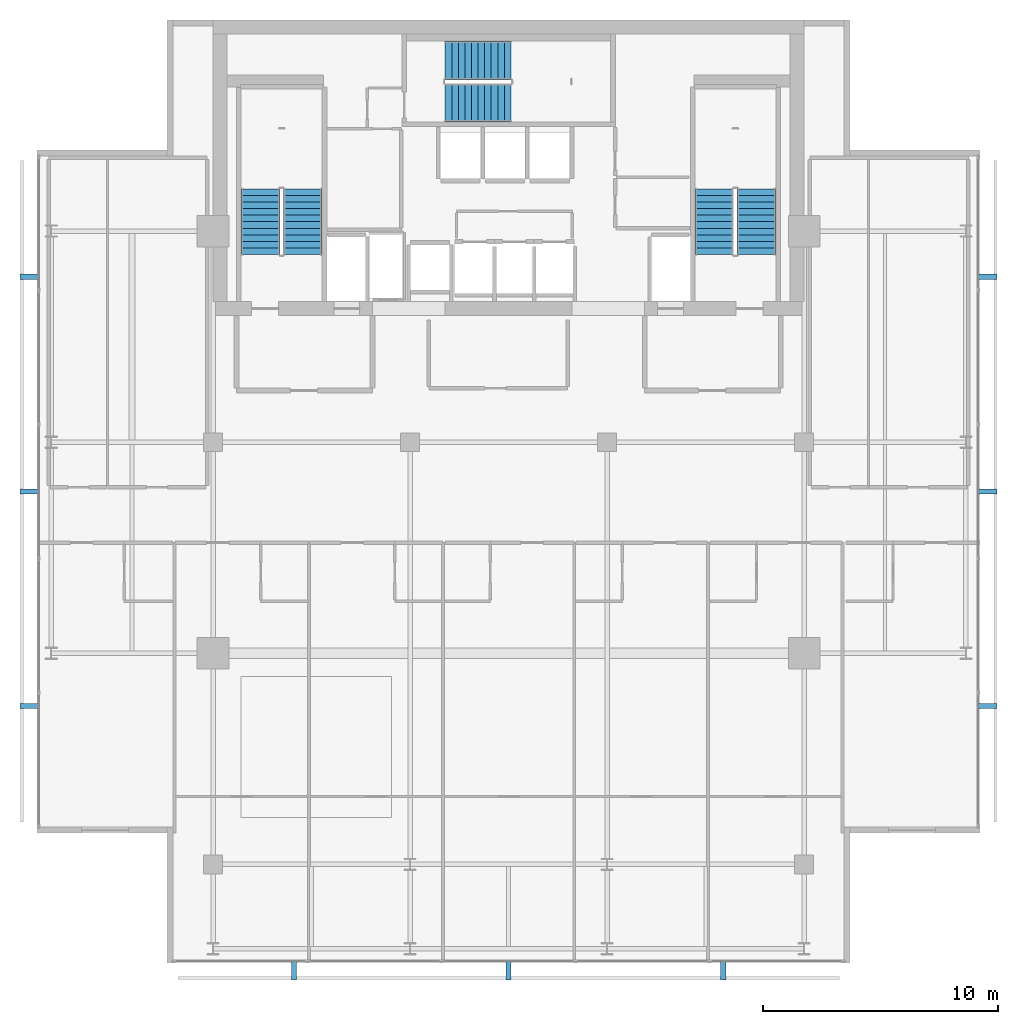
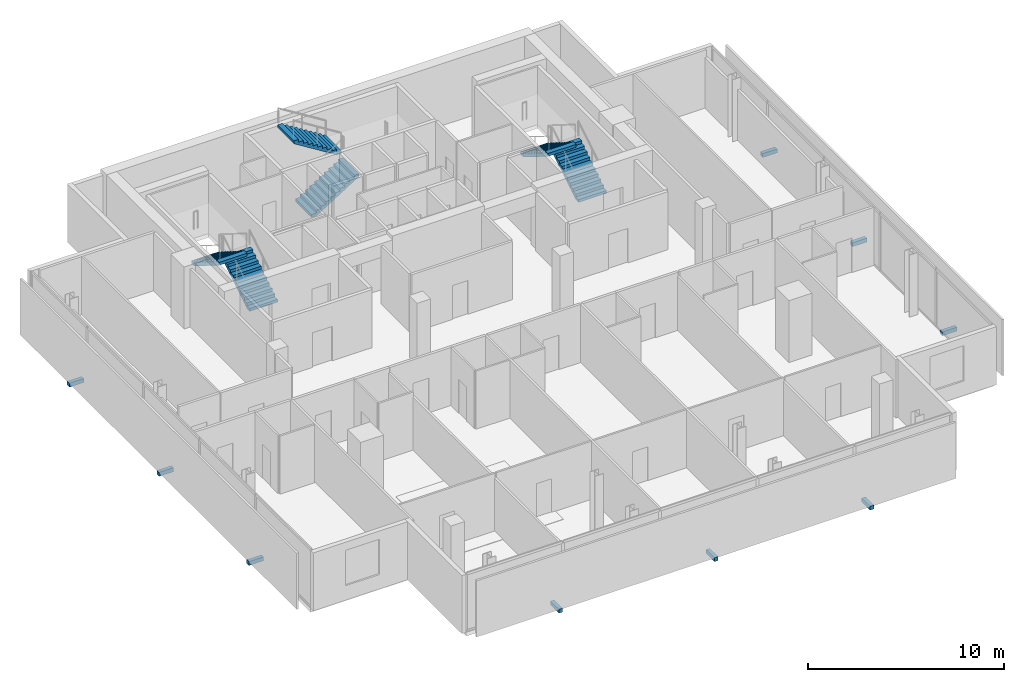
# One storey, part 20 of 24: 9 discrete accessories, 6 stair flights, 3 elements without a shape of their own.
"""IFC4 building model written with IfcOpenShell, lengths in metres."""

from ifc_helpers import new_model, si_unit, direction, frame, origin, origin_2d, place, context, subcontext, project, spatial, polyline, rectangle, outline, extrude, material, type_object, element, aggregate, save


model = new_model("IFC4")

# Units and contexts
model_context = context("Model", 3, precision=1e-05, world=origin(), true_north=direction((0.0, 1.0)))
body_context = subcontext(model_context, "Body", "Model", "MODEL_VIEW")
ifc_project = project(units=[si_unit("LENGTHUNIT", "METRE"), si_unit("AREAUNIT", "SQUARE_METRE"), si_unit("VOLUMEUNIT", "CUBIC_METRE"), si_unit("PLANEANGLEUNIT", "RADIAN"), si_unit("MASSUNIT", "GRAM", prefix="KILO")], contexts=[model_context])

# Site, building, storey
site_placement = place(None, origin())
site = spatial("IfcSite", under=ifc_project, at=site_placement, CompositionType="ELEMENT")
building_placement = place(site_placement, origin())
building = spatial("IfcBuilding", under=site, at=building_placement, Name="Maruvema Waterfront Hotel and Observation Tower", CompositionType="ELEMENT")
storey_placement = place(building_placement, frame((0.0, 0.0, 329.699951171875)))
storey = spatial("IfcBuildingStorey", under=building, at=storey_placement, Name="L81", CompositionType="ELEMENT", Elevation=329.699951171875)

# Stair, stair flights
ifc_material_1 = material(Name="Concrete C50/60", Category="concrete")
stair_type = type_object("IfcStairType", Name="Dogleg Exit Stair 1650 mm (22R x 175.0 mm)", PredefinedType="HALF_TURN_STAIR", material=ifc_material_1)
stair_1_placement = place(storey_placement, origin())
stair_1 = element("IfcStair", 1, at=stair_1_placement, inside=storey, type_object=stair_type, Name="L81 ST-01", PredefinedType="HALF_TURN_STAIR")
ifc_material_2 = material(Name="Concrete C50/60", Category="concrete")
stair_flight_type = type_object("IfcStairFlightType", Name="Reinforced Concrete Stair Flight 1650 mm (11R x 175.0 mm)", PredefinedType="STRAIGHT", material=ifc_material_2)
stair_flight_1_placement = place(storey_placement, frame((29.02490234375, 44.0, 0.0), z_axis=(0.0, 0.0, 1.0), x_axis=(0.0, 1.0, 0.0)))
stair_flight_1 = element("IfcStairFlight", 2, at=stair_flight_1_placement, type_object=stair_flight_type, Name="ST-01 flight 1", NumberOfRisers=11, NumberOfTreads=10, PredefinedType="STRAIGHT", RiserHeight=0.175, TreadLength=0.28, context=body_context, shape_type="SweptSolid", body=[
    extrude(outline(polyline([(0.0, 0.0), (0.0, 0.175048828125), (0.280029296875, 0.175048828125), (0.280029296875, 0.35009765625), (0.56005859375, 0.35009765625), (0.56005859375, 0.52490234375), (0.840087890625, 0.52490234375), (0.840087890625, 0.699951171875), (1.1201171875, 0.699951171875), (1.1201171875, 0.875), (1.39990234375, 0.875), (1.39990234375, 1.050048828125), (1.679931640625, 1.050048828125), (1.679931640625, 1.22509765625), (1.9599609375, 1.22509765625), (1.9599609375, 1.39990234375), (2.239990234375, 1.39990234375), (2.239990234375, 1.574951171875), (2.52001953125, 1.574951171875), (2.52001953125, 1.75), (2.800048828125, 1.75), (2.800048828125, 1.925048828125), (2.800048828125, 1.5732421875), (0.28271484375, 0.0), (0.0, 0.0)])), frame((0.0, 0.824951171875, 0.0), z_axis=(0.0, -1.0, 0.0), x_axis=(1.0, 0.0, 0.0)), (0.0, 0.0, 1.0), 1.64990234375),
])
stair_flight_2_placement = place(storey_placement, frame((27.22509765625, 46.800048828125, 1.925048828125), z_axis=(0.0, 0.0, 1.0), x_axis=(0.0, -1.0, 0.0)))
stair_flight_2 = element("IfcStairFlight", 3, at=stair_flight_2_placement, type_object=stair_flight_type, Name="ST-01 flight 2", NumberOfRisers=11, NumberOfTreads=10, PredefinedType="STRAIGHT", RiserHeight=0.175, TreadLength=0.28, context=body_context, shape_type="SweptSolid", body=[
    extrude(outline(polyline([(0.0, 0.0), (0.0, 0.175048828125), (0.280029296875, 0.175048828125), (0.280029296875, 0.35009765625), (0.56005859375, 0.35009765625), (0.56005859375, 0.52490234375), (0.840087890625, 0.52490234375), (0.840087890625, 0.699951171875), (1.1201171875, 0.699951171875), (1.1201171875, 0.875), (1.39990234375, 0.875), (1.39990234375, 1.050048828125), (1.679931640625, 1.050048828125), (1.679931640625, 1.22509765625), (1.9599609375, 1.22509765625), (1.9599609375, 1.39990234375), (2.239990234375, 1.39990234375), (2.239990234375, 1.574951171875), (2.52001953125, 1.574951171875), (2.52001953125, 1.75), (2.800048828125, 1.75), (2.800048828125, 1.925048828125), (2.800048828125, 1.5732421875), (0.28271484375, 0.0), (0.0, 0.0)])), frame((0.0, 0.824951171875, 0.0), z_axis=(0.0, -1.0, 0.0), x_axis=(1.0, 0.0, 0.0)), (0.0, 0.0, 1.0), 1.64990234375),
])
aggregate(stair_1, [stair_flight_1, stair_flight_2])

stair_2_placement = place(storey_placement, origin())
stair_2 = element("IfcStair", 4, at=stair_2_placement, inside=storey, type_object=stair_type, Name="L81 ST-02", PredefinedType="HALF_TURN_STAIR")
stair_flight_3_placement = place(storey_placement, frame((35.10009765625, 50.47509765625, 0.0), z_axis=(0.0, 0.0, 1.0), x_axis=(1.0, 0.0, 0.0)))
stair_flight_3 = element("IfcStairFlight", 5, at=stair_flight_3_placement, type_object=stair_flight_type, Name="ST-02 flight 1", NumberOfRisers=11, NumberOfTreads=10, PredefinedType="STRAIGHT", RiserHeight=0.175, TreadLength=0.28, context=body_context, shape_type="SweptSolid", body=[
    extrude(outline(polyline([(0.0, 0.0), (0.0, 0.175048828125), (0.280029296875, 0.175048828125), (0.280029296875, 0.35009765625), (0.56005859375, 0.35009765625), (0.56005859375, 0.52490234375), (0.840087890625, 0.52490234375), (0.840087890625, 0.699951171875), (1.1201171875, 0.699951171875), (1.1201171875, 0.875), (1.39990234375, 0.875), (1.39990234375, 1.050048828125), (1.679931640625, 1.050048828125), (1.679931640625, 1.22509765625), (1.9599609375, 1.22509765625), (1.9599609375, 1.39990234375), (2.239990234375, 1.39990234375), (2.239990234375, 1.574951171875), (2.52001953125, 1.574951171875), (2.52001953125, 1.75), (2.800048828125, 1.75), (2.800048828125, 1.925048828125), (2.800048828125, 1.5732421875), (0.28271484375, 0.0), (0.0, 0.0)])), frame((0.0, 0.824951171875, 0.0), z_axis=(0.0, -1.0, 0.0), x_axis=(1.0, 0.0, 0.0)), (0.0, 0.0, 1.0), 1.64990234375),
])
stair_flight_4_placement = place(storey_placement, frame((37.89990234375, 52.27490234375, 1.925048828125), z_axis=(0.0, 0.0, 1.0), x_axis=(-1.0, 0.0, 0.0)))
stair_flight_4 = element("IfcStairFlight", 6, at=stair_flight_4_placement, type_object=stair_flight_type, Name="ST-02 flight 2", NumberOfRisers=11, NumberOfTreads=10, PredefinedType="STRAIGHT", RiserHeight=0.175, TreadLength=0.28, context=body_context, shape_type="SweptSolid", body=[
    extrude(outline(polyline([(0.0, 0.0), (0.0, 0.175048828125), (0.280029296875, 0.175048828125), (0.280029296875, 0.35009765625), (0.56005859375, 0.35009765625), (0.56005859375, 0.52490234375), (0.840087890625, 0.52490234375), (0.840087890625, 0.699951171875), (1.1201171875, 0.699951171875), (1.1201171875, 0.875), (1.39990234375, 0.875), (1.39990234375, 1.050048828125), (1.679931640625, 1.050048828125), (1.679931640625, 1.22509765625), (1.9599609375, 1.22509765625), (1.9599609375, 1.39990234375), (2.239990234375, 1.39990234375), (2.239990234375, 1.574951171875), (2.52001953125, 1.574951171875), (2.52001953125, 1.75), (2.800048828125, 1.75), (2.800048828125, 1.925048828125), (2.800048828125, 1.5732421875), (0.28271484375, 0.0), (0.0, 0.0)])), frame((0.0, 0.824951171875, 0.0), z_axis=(0.0, -1.0, 0.0), x_axis=(1.0, 0.0, 0.0)), (0.0, 0.0, 1.0), 1.64990234375),
])
aggregate(stair_2, [stair_flight_3, stair_flight_4])

stair_3_placement = place(storey_placement, origin())
stair_3 = element("IfcStair", 7, at=stair_3_placement, inside=storey, type_object=stair_type, Name="L81 ST-03", PredefinedType="HALF_TURN_STAIR")
stair_flight_5_placement = place(storey_placement, frame((48.375, 44.0, 0.0), z_axis=(0.0, 0.0, 1.0), x_axis=(0.0, 1.0, 0.0)))
stair_flight_5 = element("IfcStairFlight", 8, at=stair_flight_5_placement, type_object=stair_flight_type, Name="ST-03 flight 1", NumberOfRisers=11, NumberOfTreads=10, PredefinedType="STRAIGHT", RiserHeight=0.175, TreadLength=0.28, context=body_context, shape_type="SweptSolid", body=[
    extrude(outline(polyline([(0.0, 0.0), (0.0, 0.175048828125), (0.280029296875, 0.175048828125), (0.280029296875, 0.35009765625), (0.56005859375, 0.35009765625), (0.56005859375, 0.52490234375), (0.840087890625, 0.52490234375), (0.840087890625, 0.699951171875), (1.1201171875, 0.699951171875), (1.1201171875, 0.875), (1.39990234375, 0.875), (1.39990234375, 1.050048828125), (1.679931640625, 1.050048828125), (1.679931640625, 1.22509765625), (1.9599609375, 1.22509765625), (1.9599609375, 1.39990234375), (2.239990234375, 1.39990234375), (2.239990234375, 1.574951171875), (2.52001953125, 1.574951171875), (2.52001953125, 1.75), (2.800048828125, 1.75), (2.800048828125, 1.925048828125), (2.800048828125, 1.5732421875), (0.28271484375, 0.0), (0.0, 0.0)])), frame((0.0, 0.824951171875, 0.0), z_axis=(0.0, -1.0, 0.0), x_axis=(1.0, 0.0, 0.0)), (0.0, 0.0, 1.0), 1.64990234375),
])
stair_flight_6_placement = place(storey_placement, frame((46.574951171875, 46.800048828125, 1.925048828125), z_axis=(0.0, 0.0, 1.0), x_axis=(0.0, -1.0, 0.0)))
stair_flight_6 = element("IfcStairFlight", 9, at=stair_flight_6_placement, type_object=stair_flight_type, Name="ST-03 flight 2", NumberOfRisers=11, NumberOfTreads=10, PredefinedType="STRAIGHT", RiserHeight=0.175, TreadLength=0.28, context=body_context, shape_type="SweptSolid", body=[
    extrude(outline(polyline([(0.0, 0.0), (0.0, 0.175048828125), (0.280029296875, 0.175048828125), (0.280029296875, 0.35009765625), (0.56005859375, 0.35009765625), (0.56005859375, 0.52490234375), (0.840087890625, 0.52490234375), (0.840087890625, 0.699951171875), (1.1201171875, 0.699951171875), (1.1201171875, 0.875), (1.39990234375, 0.875), (1.39990234375, 1.050048828125), (1.679931640625, 1.050048828125), (1.679931640625, 1.22509765625), (1.9599609375, 1.22509765625), (1.9599609375, 1.39990234375), (2.239990234375, 1.39990234375), (2.239990234375, 1.574951171875), (2.52001953125, 1.574951171875), (2.52001953125, 1.75), (2.800048828125, 1.75), (2.800048828125, 1.925048828125), (2.800048828125, 1.5732421875), (0.28271484375, 0.0), (0.0, 0.0)])), frame((0.0, 0.824951171875, 0.0), z_axis=(0.0, -1.0, 0.0), x_axis=(1.0, 0.0, 0.0)), (0.0, 0.0, 1.0), 1.64990234375),
])
aggregate(stair_3, [stair_flight_5, stair_flight_6])

# Discrete accessories
ifc_material_3 = material(Name="Duplex stainless steel Grade 2205", Category="steel")
discrete_accessory_type = type_object("IfcDiscreteAccessoryType", Name="Double-Skin Cavity Stainless Outrigger Bracket", PredefinedType="BRACKET", material=ifc_material_3)
for number, where, z_axis, x_axis, name in (
    (10, (28.64794921875, 13.5, -0.14013671875), (0.0, 0.0, 1.0), (1.0, 0.0, 0.0), "L81 Outer Skin Support Bracket 1"),
    (11, (37.800048828125, 13.5, -0.14013671875), (0.0, 0.0, 1.0), (1.0, 0.0, 0.0), "L81 Outer Skin Support Bracket 2"),
    (12, (46.951904296875, 13.5, -0.14013671875), (0.0, 0.0, 1.0), (1.0, 0.0, 0.0), "L81 Outer Skin Support Bracket 3"),
    (13, (58.199951171875, 24.748046875, -0.14013671875), (0.0, 0.0, 1.0), (0.0, 1.0, 0.0), "L81 Outer Skin Support Bracket 1"),
    (14, (58.199951171875, 33.89990234375, -0.14013671875), (0.0, 0.0, 1.0), (0.0, 1.0, 0.0), "L81 Outer Skin Support Bracket 2"),
    (15, (58.199951171875, 43.052001953125, -0.14013671875), (0.0, 0.0, 1.0), (0.0, 1.0, 0.0), "L81 Outer Skin Support Bracket 3"),
    (16, (17.39990234375, 43.052001953125, -0.14013671875), (0.0, 0.0, 1.0), (0.0, -1.0, 0.0), "L81 Outer Skin Support Bracket 1"),
    (17, (17.39990234375, 33.89990234375, -0.14013671875), (0.0, 0.0, 1.0), (0.0, -1.0, 0.0), "L81 Outer Skin Support Bracket 2"),
    (18, (17.39990234375, 24.748046875, -0.14013671875), (0.0, 0.0, 1.0), (0.0, -1.0, 0.0), "L81 Outer Skin Support Bracket 3"),
):
    element("IfcDiscreteAccessory", number, at=place(storey_placement, frame(where, z_axis=z_axis, x_axis=x_axis)), inside=storey, type_object=discrete_accessory_type, Name=name, PredefinedType="BRACKET", context=body_context, shape_type="SweptSolid", body=[
        extrude(rectangle(XDim=0.219970703125, YDim=0.860107421875, at=origin_2d()), origin(), (0.0, 0.0, 1.0), 0.239990234375),
    ])

save(model, "model.ifc")
